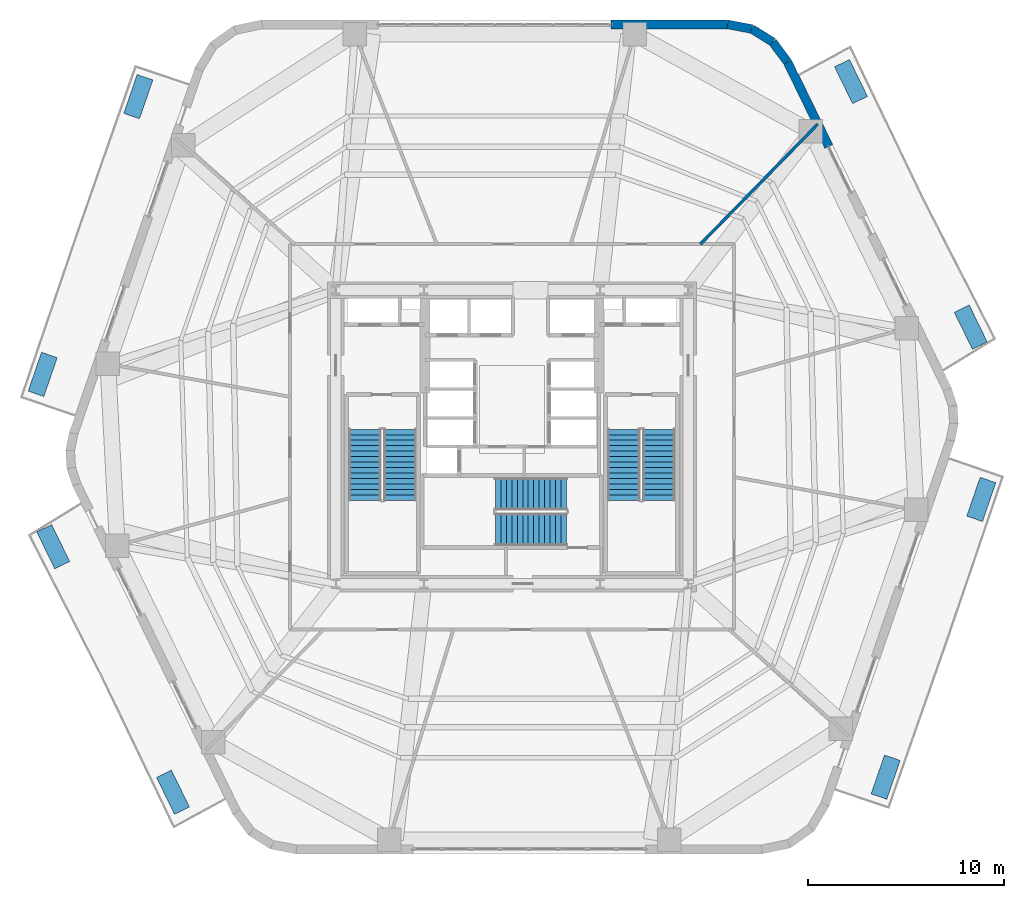
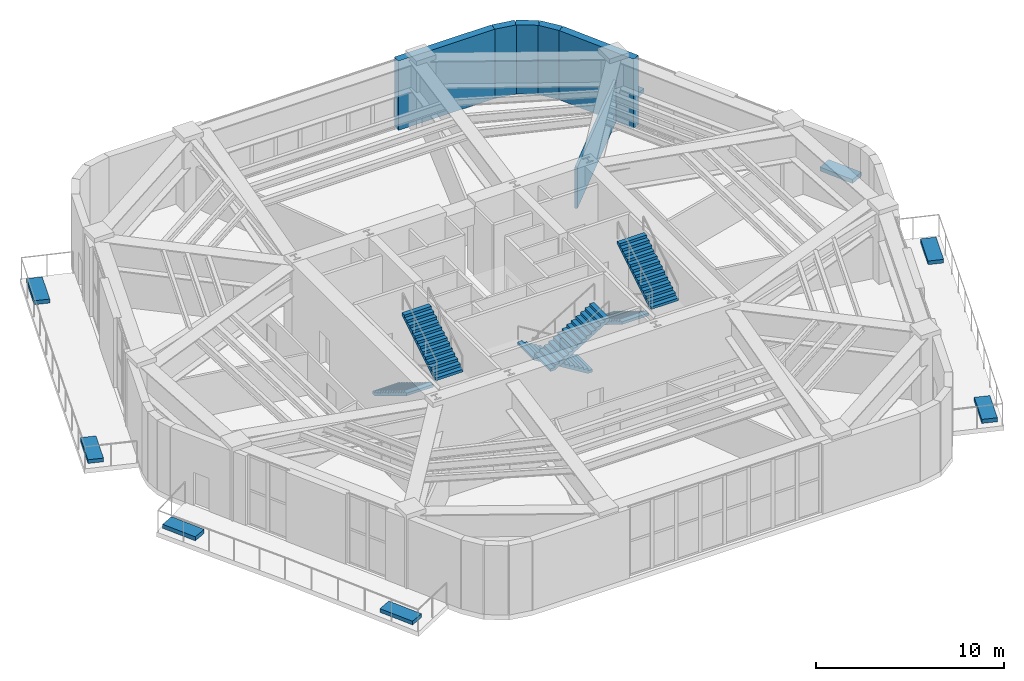
# One storey, part 19 of 22: 8 discrete accessories, 6 stair flights, 6 walls, 3 elements without a shape of their own.
"""IFC4 building model written with IfcOpenShell, lengths in metres."""

import ifcopenshell
import ifcopenshell.guid

model = None  # the IFC model being written
_history = None  # IfcOwnerHistory: only IFC2X3 demands one
_inside = {}  # id of a spatial element -> (the spatial element, [elements in it])
_under = {}  # id of a project, library or spatial element -> (it, [spatial elements below it])
_declared = {}  # id of a project -> (the project, [libraries it declares])
_typed = {}  # id of a type object -> (the type object, [elements of that type])
_made_of = {}  # id of a material, layer set ... -> (it, [elements and type objects made of it])


def new_model(schema):
    """Start an empty IFC model of exactly this schema.

    Asked for "IFC4X3", IfcOpenShell would pick the latest addendum, in which some entities
    have other attributes; the version numbers below select the first issue.
    IFC2X3 requires an IfcOwnerHistory on every rooted entity: one is made here for all.
    """
    global model, _history
    if schema == "IFC4X3":
        model = ifcopenshell.file(schema_version=(4, 3, 0, 0))
    else:
        model = ifcopenshell.file(schema=schema)
    _inside.clear()
    _under.clear()
    _declared.clear()
    _typed.clear()
    _made_of.clear()
    _history = None
    if model.schema == "IFC2X3":
        org = make("IfcOrganization", Name="unknown")
        user = make(
            "IfcPersonAndOrganization",
            ThePerson=make("IfcPerson", FamilyName="unknown"),
            TheOrganization=org,
        )
        app = make(
            "IfcApplication",
            ApplicationDeveloper=org,
            Version="unknown",
            ApplicationFullName="unknown",
            ApplicationIdentifier="unknown",
        )
        _history = make(
            "IfcOwnerHistory",
            OwningUser=user,
            OwningApplication=app,
            ChangeAction="ADDED",
            CreationDate=0,
        )
    return model


def make(cls, **values):
    """One entity of the class cls with the attributes given. An attribute that is None is left unset."""
    return model.create_entity(
        cls, **{name: value for name, value in values.items() if value is not None}
    )


def rooted(cls, **values):
    """An entity with a GlobalId (a new one), such as an element, a storey or a relation."""
    return make(cls, GlobalId=ifcopenshell.guid.new(), OwnerHistory=_history, **values)


def si_unit(unit_type, name, prefix=None):
    """IfcSIUnit, for example si_unit("LENGTHUNIT", "METRE", prefix="MILLI")."""
    return make("IfcSIUnit", UnitType=unit_type, Prefix=prefix, Name=name)


def assignment(units):
    """IfcUnitAssignment: the units of a project."""
    return None if units is None else make("IfcUnitAssignment", Units=units)


def point(xyz):
    """IfcCartesianPoint."""
    return None if xyz is None else make("IfcCartesianPoint", Coordinates=xyz)


def direction(xyz):
    """IfcDirection."""
    return None if xyz is None else make("IfcDirection", DirectionRatios=xyz)


def frame(location, z_axis=None, x_axis=None):
    """IfcAxis2Placement3D, a coordinate frame: its origin and axes. An axis left out is left unset."""
    return make(
        "IfcAxis2Placement3D",
        Location=point(location),
        Axis=direction(z_axis),
        RefDirection=direction(x_axis),
    )


def frame_2d(location, x_axis=None):
    """IfcAxis2Placement2D, a coordinate frame in the plane: its origin and x axis."""
    return make(
        "IfcAxis2Placement2D", Location=point(location), RefDirection=direction(x_axis)
    )


def origin():
    """The frame at (0, 0, 0) with its axes left unset."""
    return frame((0.0, 0.0, 0.0))


def origin_2d():
    """The frame at (0, 0) in the plane with its x axis left unset."""
    return frame_2d((0.0, 0.0))


def place(relative_to, where):
    """IfcLocalPlacement: puts the frame where relative to a parent placement (None: the world)."""
    return make(
        "IfcLocalPlacement", PlacementRelTo=relative_to, RelativePlacement=where
    )


def context(
    kind, dimensions, precision=None, world=None, true_north=None, identifier=None
):
    """IfcGeometricRepresentationContext, for example the 3D "Model" context."""
    return make(
        "IfcGeometricRepresentationContext",
        ContextIdentifier=identifier,
        ContextType=kind,
        CoordinateSpaceDimension=dimensions,
        Precision=precision,
        WorldCoordinateSystem=world,
        TrueNorth=true_north,
    )


def subcontext(parent, identifier, kind, view, scale=None):
    """IfcGeometricRepresentationSubContext, for example "Body" below "Model"."""
    return make(
        "IfcGeometricRepresentationSubContext",
        ContextIdentifier=identifier,
        ContextType=kind,
        ParentContext=parent,
        TargetScale=scale,
        TargetView=view,
    )


def project(units=None, contexts=None):
    """IfcProject with its units and contexts."""
    return rooted(
        "IfcProject",
        Name="project",
        RepresentationContexts=contexts,
        UnitsInContext=assignment(units),
    )


def spatial(cls, under=None, at=None, **own):
    """A site, building, storey or space (cls), placed at a placement, below another one or the project."""
    s = rooted(cls, ObjectPlacement=at, **own)
    if under is not None:
        _under.setdefault(under.id(), (under, []))[1].append(s)
    return s


def polyline(points):
    """IfcPolyline through the points."""
    return make("IfcPolyline", Points=[point(p) for p in points])


def profile(cls, at=None, kind="AREA", **sizes):
    """A parametric profile (cls). Its sizes go by their IFC names, for example OverallWidth=200.0."""
    return make(cls, ProfileType=kind, Position=at, **sizes)


def rectangle(**sizes):
    """IfcRectangleProfileDef."""
    return profile("IfcRectangleProfileDef", **sizes)


def outline(outer, holes=None, kind="AREA"):
    """IfcArbitraryClosedProfileDef: a profile drawn as a closed curve; with holes, ...WithVoids."""
    if holes is None:
        return make("IfcArbitraryClosedProfileDef", ProfileType=kind, OuterCurve=outer)
    return make(
        "IfcArbitraryProfileDefWithVoids",
        ProfileType=kind,
        OuterCurve=outer,
        InnerCurves=holes,
    )


def extrude(swept, where, along, depth):
    """IfcExtrudedAreaSolid: the profile swept, set in the frame where, extruded along a direction by depth."""
    return make(
        "IfcExtrudedAreaSolid",
        SweptArea=swept,
        Position=where,
        ExtrudedDirection=direction(along),
        Depth=depth,
    )


def shape(context_of_items, identifier, shape_type, items):
    """IfcShapeRepresentation: the items that make up one representation, for example the "Body"."""
    return make(
        "IfcShapeRepresentation",
        ContextOfItems=context_of_items,
        RepresentationIdentifier=identifier,
        RepresentationType=shape_type,
        Items=items,
    )


def material(Name=None, Category=None):
    """IfcMaterial."""
    return make("IfcMaterial", Name=Name, Category=Category)


def layer(
    of_material, thickness, ventilated=None, Name=None, Category=None, Priority=None
):
    """IfcMaterialLayer: one layer of a wall or slab, of a material (None: an air gap)."""
    return make(
        "IfcMaterialLayer",
        Material=of_material,
        LayerThickness=thickness,
        IsVentilated=ventilated,
        Name=Name,
        Category=Category,
        Priority=Priority,
    )


def layer_set(layers, Name=None):
    """IfcMaterialLayerSet."""
    return make("IfcMaterialLayerSet", MaterialLayers=layers, LayerSetName=Name)


def made_of(thing, what):
    """Note that an element or type object is made of a material, layer set ...; save() writes the relation."""
    if what is not None:
        _made_of.setdefault(what.id(), (what, []))[1].append(thing)
    return thing


def type_object(cls, material=None, **own):
    """A type object (cls), such as IfcWallType, which elements share."""
    return made_of(rooted(cls, **own), material)


def element(
    cls,
    number,
    at=None,
    inside=None,
    cuts=None,
    type_object=None,
    material=None,
    context=None,
    identifier="Body",
    shape_type=None,
    held_by="IfcProductDefinitionShape",
    body=None,
    shapes=None,
    **own,
):
    """One element of the class cls, such as IfcWall. Its Tag is "e" and its number.

    at: its placement. inside: the storey or other place that contains it. cuts: it is an
    opening in that element (IfcRelVoidsElement). A single representation is given by context,
    identifier, shape_type and body (its items); several are given by shapes. held_by: the class
    of the entity that holds the representations. save() writes the other relations.
    """
    e = rooted(cls, Tag="e%d" % number, ObjectPlacement=at, **own)
    if body is not None:
        shapes = [shape(context, identifier, shape_type, body)]
    if shapes is not None:
        e.Representation = make(held_by, Representations=shapes)
    if inside is not None:
        _inside.setdefault(inside.id(), (inside, []))[1].append(e)
    if cuts is not None:
        rooted(
            "IfcRelVoidsElement", RelatingBuildingElement=cuts, RelatedOpeningElement=e
        )
    if type_object is not None:
        _typed.setdefault(type_object.id(), (type_object, []))[1].append(e)
    return made_of(e, material)


def aggregate(whole, parts):
    """IfcRelAggregates: a whole, such as a stair, and the parts it consists of."""
    return rooted("IfcRelAggregates", RelatingObject=whole, RelatedObjects=parts)


def save(model, path):
    """Write the relations noted so far, then the file.

    IfcRelAggregates (storeys below a building ...), IfcRelContainedInSpatialStructure (elements
    in a storey), IfcRelDefinesByType, IfcRelAssociatesMaterial and IfcRelDeclares: one each for
    every whole, place, type object, material and project.
    """
    for whole, parts in _under.values():
        aggregate(whole, parts)
    for where, things in _inside.values():
        rooted(
            "IfcRelContainedInSpatialStructure",
            RelatedElements=things,
            RelatingStructure=where,
        )
    for kind, things in _typed.values():
        rooted("IfcRelDefinesByType", RelatedObjects=things, RelatingType=kind)
    for what, things in _made_of.values():
        rooted("IfcRelAssociatesMaterial", RelatedObjects=things, RelatingMaterial=what)
    for by, libraries in _declared.values():
        rooted("IfcRelDeclares", RelatingContext=by, RelatedDefinitions=libraries)
    model.write(path)


model = new_model("IFC4")

# Units and contexts
model_context = context("Model", 3, precision=1e-05, world=origin(), true_north=direction((0.0, 1.0)))
body_context = subcontext(model_context, "Body", "Model", "MODEL_VIEW")
ifc_project = project(units=[si_unit("LENGTHUNIT", "METRE"), si_unit("AREAUNIT", "SQUARE_METRE"), si_unit("VOLUMEUNIT", "CUBIC_METRE"), si_unit("PLANEANGLEUNIT", "RADIAN"), si_unit("MASSUNIT", "GRAM", prefix="KILO")], contexts=[model_context])

# Site, building, storey
site_placement = place(None, origin())
site = spatial("IfcSite", under=ifc_project, at=site_placement, CompositionType="ELEMENT")
building_placement = place(site_placement, origin())
building = spatial("IfcBuilding", under=site, at=building_placement, Name="Kilnhurst Terrace Hotel", CompositionType="ELEMENT")
storey_placement = place(building_placement, frame((0.0, 0.0, 139.5)))
storey = spatial("IfcBuildingStorey", under=building, at=storey_placement, Name="L34", CompositionType="ELEMENT", Elevation=139.5)

# Walls
ifc_material_1 = material(Name="Precast concrete C40/50", Category="concrete")
ifc_layer_1 = layer(ifc_material_1, 0.449951171875, Name="Precast concrete C40/50")
ifc_layer_set_1 = layer_set([ifc_layer_1], Name="Precast concrete C40/50")
wall_type_1 = type_object("IfcWallType", Name="WL-BRK-450", PredefinedType="SOLIDWALL", material=ifc_layer_set_1)
wall_1_placement = place(storey_placement, frame((14.07568359375, 19.16064453125, 0.0), z_axis=(0.0, 0.0, 1.0), x_axis=(-0.597226657159, 0.802072515412, 0.0)))
element("IfcWall", 1, at=wall_1_placement, inside=storey, type_object=wall_type_1, Name="L34 Rounded Corner Brick Wall C4.1", PredefinedType="SOLIDWALL", context=body_context, shape_type="SweptSolid", body=[
    extrude(rectangle(XDim=1.269287109375, YDim=0.449951171875, at=frame_2d((0.634765625, 0.0))), origin(), (0.0, 0.0, 1.0), 4.5),
])
wall_2_placement = place(storey_placement, frame((13.317626953125, 20.1787109375, 0.0), z_axis=(0.0, 0.0, 1.0), x_axis=(-0.848031272749, 0.529946186362, 0.0)))
element("IfcWall", 2, at=wall_2_placement, inside=storey, type_object=wall_type_1, Name="L34 Rounded Corner Brick Wall C4.2", PredefinedType="SOLIDWALL", context=body_context, shape_type="SweptSolid", body=[
    extrude(rectangle(XDim=1.248046875, YDim=0.449951171875, at=frame_2d((0.6240234375, 0.0))), origin(), (0.0, 0.0, 1.0), 4.5),
])
wall_3_placement = place(storey_placement, frame((12.25927734375, 20.840087890625, 0.0), z_axis=(0.0, 0.0, 1.0), x_axis=(-0.982730354425, 0.185043374624, 0.0)))
element("IfcWall", 3, at=wall_3_placement, inside=storey, type_object=wall_type_1, Name="L34 Rounded Corner Brick Wall C4.3", PredefinedType="SOLIDWALL", context=body_context, shape_type="SweptSolid", body=[
    extrude(rectangle(XDim=1.269287109375, YDim=0.449951171875, at=frame_2d((0.634765625, 0.0))), origin(), (0.0, 0.0, 1.0), 4.5),
])
wall_4_placement = place(storey_placement, frame((16.18408203125, 14.837890625, 0.0), z_axis=(0.0, 0.0, 1.0), x_axis=(-0.43837962648, 0.898789910428, 0.0)))
element("IfcWall", 4, at=wall_4_placement, inside=storey, type_object=wall_type_1, Name="L34 Face 3 End Brick Pier", PredefinedType="SOLIDWALL", context=body_context, shape_type="SweptSolid", body=[
    extrude(rectangle(XDim=4.8095703125, YDim=0.449951171875, at=frame_2d((2.40478515625, 0.0))), origin(), (0.0, 0.0, 1.0), 4.5),
])
wall_5_placement = place(storey_placement, frame((11.011962890625, 21.074951171875, 0.0), z_axis=(0.0, 0.0, 1.0), x_axis=(-1.0, 0.0, 0.0)))
element("IfcWall", 5, at=wall_5_placement, inside=storey, type_object=wall_type_1, Name="L34 Face 4 Brick Pier 1", PredefinedType="SOLIDWALL", context=body_context, shape_type="SweptSolid", body=[
    extrude(rectangle(XDim=5.946044921875, YDim=0.449951171875, at=frame_2d((2.97314453125, 0.0))), origin(), (0.0, 0.0, 1.0), 4.5),
])
ifc_material_2 = material(Name="150 mm Acoustic Gypsum Hospitality Partition")
ifc_layer_2 = layer(ifc_material_2, 0.14990234375, Name="150 mm Acoustic Gypsum Hospitality Partition")
ifc_layer_set_2 = layer_set([ifc_layer_2], Name="150 mm Acoustic Gypsum Hospitality Partition")
wall_type_2 = type_object("IfcWallType", Name="WL-PART-150", PredefinedType="PARTITIONING", material=ifc_layer_set_2)
wall_6_placement = place(storey_placement, frame((9.6279296875, 9.85009765625, 0.0), z_axis=(0.0, 0.0, 1.0), x_axis=(0.698992824326, 0.715128681805, 0.0)))
element("IfcWall", 6, at=wall_6_placement, inside=storey, type_object=wall_type_2, Name="L34 Interior Wall WL-L34-SCOL-02-1", PredefinedType="PARTITIONING", context=body_context, shape_type="SweptSolid", body=[
    extrude(rectangle(XDim=8.578857421875, YDim=0.14990234375, at=frame_2d((4.28955078125, 0.0))), origin(), (0.0, 0.0, 1.0), 2.68994140625),
])

# Stair, stair flights
ifc_material_3 = material(Name="Concrete C50/60", Category="concrete")
stair_type = type_object("IfcStairType", Name="STR-CORE-1660", PredefinedType="HALF_TURN_STAIR", material=ifc_material_3)
stair_1_placement = place(storey_placement, origin())
stair_1 = element("IfcStair", 7, at=stair_1_placement, inside=storey, type_object=stair_type, Name="L34 ST-1", PredefinedType="HALF_TURN_STAIR")
stair_flight_type = type_object("IfcStairFlightType", Name="FLT-RC-1660", PredefinedType="STRAIGHT", material=ifc_material_3)
stair_flight_1_placement = place(storey_placement, frame((-7.52001953125, 0.389892578125, 0.0), z_axis=(0.0, 0.0, 1.0), x_axis=(0.0, -1.0, 0.0)))
stair_flight_1 = element("IfcStairFlight", 8, at=stair_flight_1_placement, type_object=stair_flight_type, Name="ST-1 flight 1", NumberOfRisers=14, NumberOfTreads=13, PredefinedType="STRAIGHT", RiserHeight=0.171428571, TreadLength=0.28, context=body_context, shape_type="SweptSolid", body=[
    extrude(outline(polyline([(0.0, 0.0), (0.0, 0.17138671875), (0.280029296875, 0.17138671875), (0.280029296875, 0.3427734375), (0.56005859375, 0.3427734375), (0.56005859375, 0.514404296875), (0.840087890625, 0.514404296875), (0.840087890625, 0.685791015625), (1.1201171875, 0.685791015625), (1.1201171875, 0.857177734375), (1.39990234375, 0.857177734375), (1.39990234375, 1.028564453125), (1.679931640625, 1.028564453125), (1.679931640625, 1.199951171875), (1.9599609375, 1.199951171875), (1.9599609375, 1.371337890625), (2.239990234375, 1.371337890625), (2.239990234375, 1.54296875), (2.52001953125, 1.54296875), (2.52001953125, 1.71435546875), (2.800048828125, 1.71435546875), (2.800048828125, 1.8857421875), (3.080078125, 1.8857421875), (3.080078125, 2.05712890625), (3.360107421875, 2.05712890625), (3.360107421875, 2.228515625), (3.639892578125, 2.228515625), (3.639892578125, 2.39990234375), (3.639892578125, 2.052734375), (0.287109375, 0.0), (0.0, 0.0)])), frame((0.0, 0.830078125, 0.0), z_axis=(0.0, -1.0, 0.0), x_axis=(1.0, 0.0, 0.0)), (0.0, 0.0, 1.0), 1.659912109375),
])
stair_flight_2_placement = place(storey_placement, frame((-5.7099609375, -3.25, 2.39990234375), z_axis=(0.0, 0.0, 1.0), x_axis=(0.0, 1.0, 0.0)))
stair_flight_2 = element("IfcStairFlight", 9, at=stair_flight_2_placement, type_object=stair_flight_type, Name="ST-1 flight 2", NumberOfRisers=14, NumberOfTreads=13, PredefinedType="STRAIGHT", RiserHeight=0.171428571, TreadLength=0.28, context=body_context, shape_type="SweptSolid", body=[
    extrude(outline(polyline([(0.0, 0.0), (0.0, 0.17138671875), (0.280029296875, 0.17138671875), (0.280029296875, 0.3427734375), (0.56005859375, 0.3427734375), (0.56005859375, 0.514404296875), (0.840087890625, 0.514404296875), (0.840087890625, 0.685791015625), (1.1201171875, 0.685791015625), (1.1201171875, 0.857177734375), (1.39990234375, 0.857177734375), (1.39990234375, 1.028564453125), (1.679931640625, 1.028564453125), (1.679931640625, 1.199951171875), (1.9599609375, 1.199951171875), (1.9599609375, 1.371337890625), (2.239990234375, 1.371337890625), (2.239990234375, 1.54296875), (2.52001953125, 1.54296875), (2.52001953125, 1.71435546875), (2.800048828125, 1.71435546875), (2.800048828125, 1.8857421875), (3.080078125, 1.8857421875), (3.080078125, 2.05712890625), (3.360107421875, 2.05712890625), (3.360107421875, 2.228515625), (3.639892578125, 2.228515625), (3.639892578125, 2.39990234375), (3.639892578125, 2.052734375), (0.287109375, 0.0), (0.0, 0.0)])), frame((0.0, 0.830078125, 0.0), z_axis=(0.0, -1.0, 0.0), x_axis=(1.0, 0.0, 0.0)), (0.0, 0.0, 1.0), 1.659912109375),
])
aggregate(stair_1, [stair_flight_1, stair_flight_2])

stair_2_placement = place(storey_placement, origin())
stair_2 = element("IfcStair", 10, at=stair_2_placement, inside=storey, type_object=stair_type, Name="L34 ST-2", PredefinedType="HALF_TURN_STAIR")
stair_flight_3_placement = place(storey_placement, frame((5.7099609375, 0.389892578125, 0.0), z_axis=(0.0, 0.0, 1.0), x_axis=(0.0, -1.0, 0.0)))
stair_flight_3 = element("IfcStairFlight", 11, at=stair_flight_3_placement, type_object=stair_flight_type, Name="ST-2 flight 1", NumberOfRisers=14, NumberOfTreads=13, PredefinedType="STRAIGHT", RiserHeight=0.171428571, TreadLength=0.28, context=body_context, shape_type="SweptSolid", body=[
    extrude(outline(polyline([(0.0, 0.0), (0.0, 0.17138671875), (0.280029296875, 0.17138671875), (0.280029296875, 0.3427734375), (0.56005859375, 0.3427734375), (0.56005859375, 0.514404296875), (0.840087890625, 0.514404296875), (0.840087890625, 0.685791015625), (1.1201171875, 0.685791015625), (1.1201171875, 0.857177734375), (1.39990234375, 0.857177734375), (1.39990234375, 1.028564453125), (1.679931640625, 1.028564453125), (1.679931640625, 1.199951171875), (1.9599609375, 1.199951171875), (1.9599609375, 1.371337890625), (2.239990234375, 1.371337890625), (2.239990234375, 1.54296875), (2.52001953125, 1.54296875), (2.52001953125, 1.71435546875), (2.800048828125, 1.71435546875), (2.800048828125, 1.8857421875), (3.080078125, 1.8857421875), (3.080078125, 2.05712890625), (3.360107421875, 2.05712890625), (3.360107421875, 2.228515625), (3.639892578125, 2.228515625), (3.639892578125, 2.39990234375), (3.639892578125, 2.052734375), (0.287109375, 0.0), (0.0, 0.0)])), frame((0.0, 0.830078125, 0.0), z_axis=(0.0, -1.0, 0.0), x_axis=(1.0, 0.0, 0.0)), (0.0, 0.0, 1.0), 1.659912109375),
])
stair_flight_4_placement = place(storey_placement, frame((7.52001953125, -3.25, 2.39990234375), z_axis=(0.0, 0.0, 1.0), x_axis=(0.0, 1.0, 0.0)))
stair_flight_4 = element("IfcStairFlight", 12, at=stair_flight_4_placement, type_object=stair_flight_type, Name="ST-2 flight 2", NumberOfRisers=14, NumberOfTreads=13, PredefinedType="STRAIGHT", RiserHeight=0.171428571, TreadLength=0.28, context=body_context, shape_type="SweptSolid", body=[
    extrude(outline(polyline([(0.0, 0.0), (0.0, 0.17138671875), (0.280029296875, 0.17138671875), (0.280029296875, 0.3427734375), (0.56005859375, 0.3427734375), (0.56005859375, 0.514404296875), (0.840087890625, 0.514404296875), (0.840087890625, 0.685791015625), (1.1201171875, 0.685791015625), (1.1201171875, 0.857177734375), (1.39990234375, 0.857177734375), (1.39990234375, 1.028564453125), (1.679931640625, 1.028564453125), (1.679931640625, 1.199951171875), (1.9599609375, 1.199951171875), (1.9599609375, 1.371337890625), (2.239990234375, 1.371337890625), (2.239990234375, 1.54296875), (2.52001953125, 1.54296875), (2.52001953125, 1.71435546875), (2.800048828125, 1.71435546875), (2.800048828125, 1.8857421875), (3.080078125, 1.8857421875), (3.080078125, 2.05712890625), (3.360107421875, 2.05712890625), (3.360107421875, 2.228515625), (3.639892578125, 2.228515625), (3.639892578125, 2.39990234375), (3.639892578125, 2.052734375), (0.287109375, 0.0), (0.0, 0.0)])), frame((0.0, 0.830078125, 0.0), z_axis=(0.0, -1.0, 0.0), x_axis=(1.0, 0.0, 0.0)), (0.0, 0.0, 1.0), 1.659912109375),
])
aggregate(stair_2, [stair_flight_3, stair_flight_4])

stair_3_placement = place(storey_placement, origin())
stair_3 = element("IfcStair", 13, at=stair_3_placement, inside=storey, type_object=stair_type, Name="L34 ST-3", PredefinedType="HALF_TURN_STAIR")
stair_flight_5_placement = place(storey_placement, frame((2.7900390625, -2.909912109375, 0.0), z_axis=(0.0, 0.0, 1.0), x_axis=(-1.0, 0.0, 0.0)))
stair_flight_5 = element("IfcStairFlight", 14, at=stair_flight_5_placement, type_object=stair_flight_type, Name="ST-3 flight 1", NumberOfRisers=14, NumberOfTreads=13, PredefinedType="STRAIGHT", RiserHeight=0.171428571, TreadLength=0.28, context=body_context, shape_type="SweptSolid", body=[
    extrude(outline(polyline([(0.0, 0.0), (0.0, 0.17138671875), (0.280029296875, 0.17138671875), (0.280029296875, 0.3427734375), (0.56005859375, 0.3427734375), (0.56005859375, 0.514404296875), (0.840087890625, 0.514404296875), (0.840087890625, 0.685791015625), (1.1201171875, 0.685791015625), (1.1201171875, 0.857177734375), (1.39990234375, 0.857177734375), (1.39990234375, 1.028564453125), (1.679931640625, 1.028564453125), (1.679931640625, 1.199951171875), (1.9599609375, 1.199951171875), (1.9599609375, 1.371337890625), (2.239990234375, 1.371337890625), (2.239990234375, 1.54296875), (2.52001953125, 1.54296875), (2.52001953125, 1.71435546875), (2.800048828125, 1.71435546875), (2.800048828125, 1.8857421875), (3.080078125, 1.8857421875), (3.080078125, 2.05712890625), (3.360107421875, 2.05712890625), (3.360107421875, 2.228515625), (3.639892578125, 2.228515625), (3.639892578125, 2.39990234375), (3.639892578125, 2.052734375), (0.287109375, 0.0), (0.0, 0.0)])), frame((0.0, 0.830078125, 0.0), z_axis=(0.0, -1.0, 0.0), x_axis=(1.0, 0.0, 0.0)), (0.0, 0.0, 1.0), 1.659912109375),
])
stair_flight_6_placement = place(storey_placement, frame((-0.85009765625, -4.719970703125, 2.39990234375), z_axis=(0.0, 0.0, 1.0), x_axis=(1.0, 0.0, 0.0)))
stair_flight_6 = element("IfcStairFlight", 15, at=stair_flight_6_placement, type_object=stair_flight_type, Name="ST-3 flight 2", NumberOfRisers=14, NumberOfTreads=13, PredefinedType="STRAIGHT", RiserHeight=0.171428571, TreadLength=0.28, context=body_context, shape_type="SweptSolid", body=[
    extrude(outline(polyline([(0.0, 0.0), (0.0, 0.17138671875), (0.280029296875, 0.17138671875), (0.280029296875, 0.3427734375), (0.56005859375, 0.3427734375), (0.56005859375, 0.514404296875), (0.840087890625, 0.514404296875), (0.840087890625, 0.685791015625), (1.1201171875, 0.685791015625), (1.1201171875, 0.857177734375), (1.39990234375, 0.857177734375), (1.39990234375, 1.028564453125), (1.679931640625, 1.028564453125), (1.679931640625, 1.199951171875), (1.9599609375, 1.199951171875), (1.9599609375, 1.371337890625), (2.239990234375, 1.371337890625), (2.239990234375, 1.54296875), (2.52001953125, 1.54296875), (2.52001953125, 1.71435546875), (2.800048828125, 1.71435546875), (2.800048828125, 1.8857421875), (3.080078125, 1.8857421875), (3.080078125, 2.05712890625), (3.360107421875, 2.05712890625), (3.360107421875, 2.228515625), (3.639892578125, 2.228515625), (3.639892578125, 2.39990234375), (3.639892578125, 2.052734375), (0.287109375, 0.0), (0.0, 0.0)])), frame((0.0, 0.830078125, 0.0), z_axis=(0.0, -1.0, 0.0), x_axis=(1.0, 0.0, 0.0)), (0.0, 0.0, 1.0), 1.659912109375),
])
aggregate(stair_3, [stair_flight_5, stair_flight_6])

# Discrete accessories
ifc_material_4 = material(Name="Precast Concrete C40/50 Shrub Planter", Category="concrete")
discrete_accessory_type_1 = type_object("IfcDiscreteAccessoryType", Name="PLN-SHRUB-240", PredefinedType="USERDEFINED", material=ifc_material_4)
for number, where, z_axis, x_axis, name in (
    (16, (23.9765625, -3.193115234375, 0.0), (0.0, 0.0, 1.0), (0.325601159083, 0.945507210551, 0.0), "L34 Structural Tree Planter Box PLANTER BAL-L1A.2"),
    (17, (17.321044921875, 18.15234375, 0.0), (0.0, 0.0, 1.0), (-0.438386833638, 0.898786395142, 0.0), "L34 Structural Tree Planter Box PLANTER BAL-L1B.2"),
    (18, (-23.9765625, 3.193115234375, 0.0), (0.0, 0.0, 1.0), (-0.325601159083, -0.945507210551, 0.0), "L34 Structural Tree Planter Box PLANTER BAL-L2A.2"),
    (19, (-17.321044921875, -18.15234375, 0.0), (0.0, 0.0, 1.0), (0.438386833638, -0.898786395142, 0.0), "L34 Structural Tree Planter Box PLANTER BAL-L2B.2"),
):
    element("IfcDiscreteAccessory", number, at=place(storey_placement, frame(where, z_axis=z_axis, x_axis=x_axis)), inside=storey, type_object=discrete_accessory_type_1, Name=name, ObjectType="PLANTER", PredefinedType="USERDEFINED", context=body_context, shape_type="SweptSolid", body=[
        extrude(rectangle(XDim=2.10009765625, YDim=0.85009765625, at=origin_2d()), origin(), (0.0, 0.0, 1.0), 0.239990234375),
    ])
ifc_material_5 = material(Name="Precast Concrete C40/50 Tree Planter", Category="concrete")
discrete_accessory_type_2 = type_object("IfcDiscreteAccessoryType", Name="PLN-TREE-260", PredefinedType="USERDEFINED", material=ifc_material_5)
for number, where, z_axis, x_axis, name in (
    (20, (19.090087890625, -17.3828125, 0.0), (0.0, 0.0, 1.0), (0.325601159083, 0.945507210551, 0.0), "L34 Structural Tree Planter Box PLANTER BAL-L1A.1"),
    (21, (23.4384765625, 5.6103515625, 0.0), (0.0, 0.0, 1.0), (-0.438386833638, 0.898786395142, 0.0), "L34 Structural Tree Planter Box PLANTER BAL-L1B.1"),
    (22, (-19.090087890625, 17.3828125, 0.0), (0.0, 0.0, 1.0), (-0.325601159083, -0.945507210551, 0.0), "L34 Structural Tree Planter Box PLANTER BAL-L2A.1"),
    (23, (-23.4384765625, -5.6103515625, 0.0), (0.0, 0.0, 1.0), (0.438386833638, -0.898786395142, 0.0), "L34 Structural Tree Planter Box PLANTER BAL-L2B.1"),
):
    element("IfcDiscreteAccessory", number, at=place(storey_placement, frame(where, z_axis=z_axis, x_axis=x_axis)), inside=storey, type_object=discrete_accessory_type_2, Name=name, ObjectType="PLANTER", PredefinedType="USERDEFINED", context=body_context, shape_type="SweptSolid", body=[
        extrude(rectangle(XDim=2.10009765625, YDim=0.85009765625, at=origin_2d()), origin(), (0.0, 0.0, 1.0), 0.260009765625),
    ])

save(model, "model.ifc")
